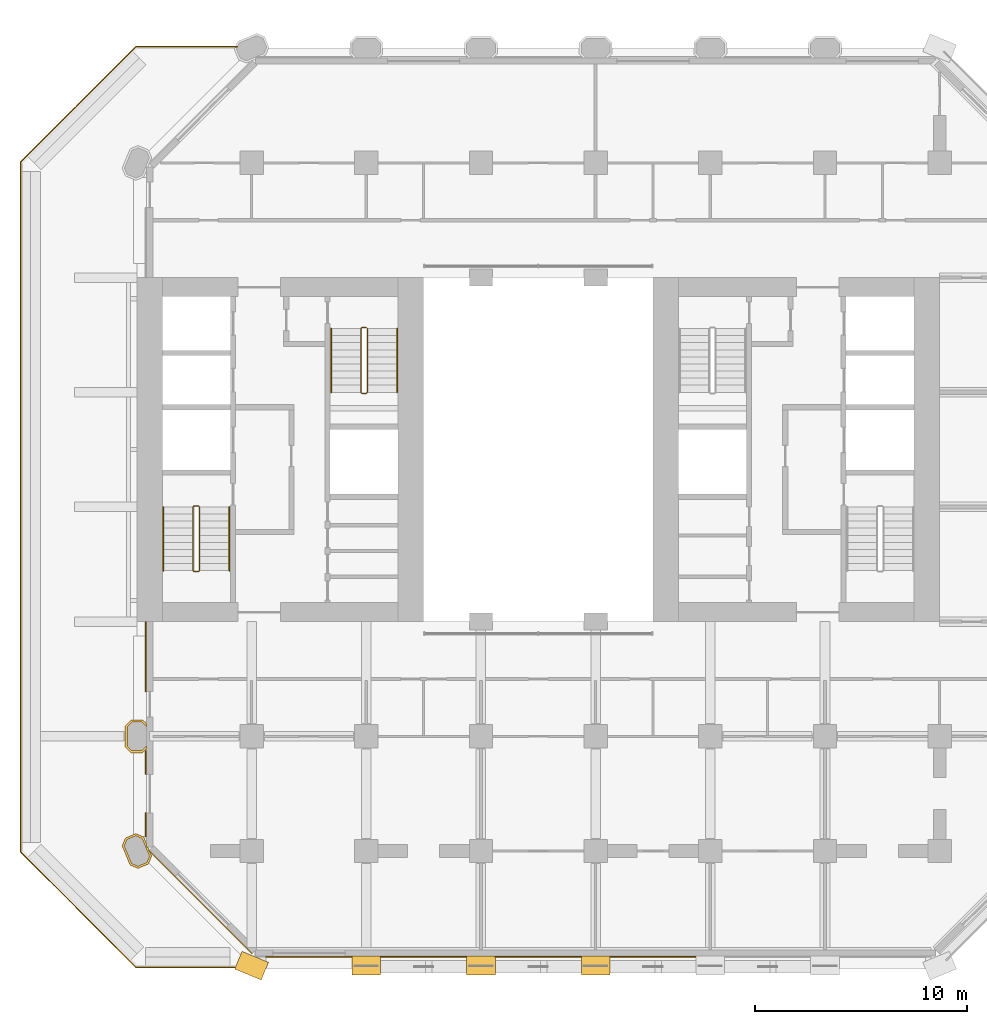
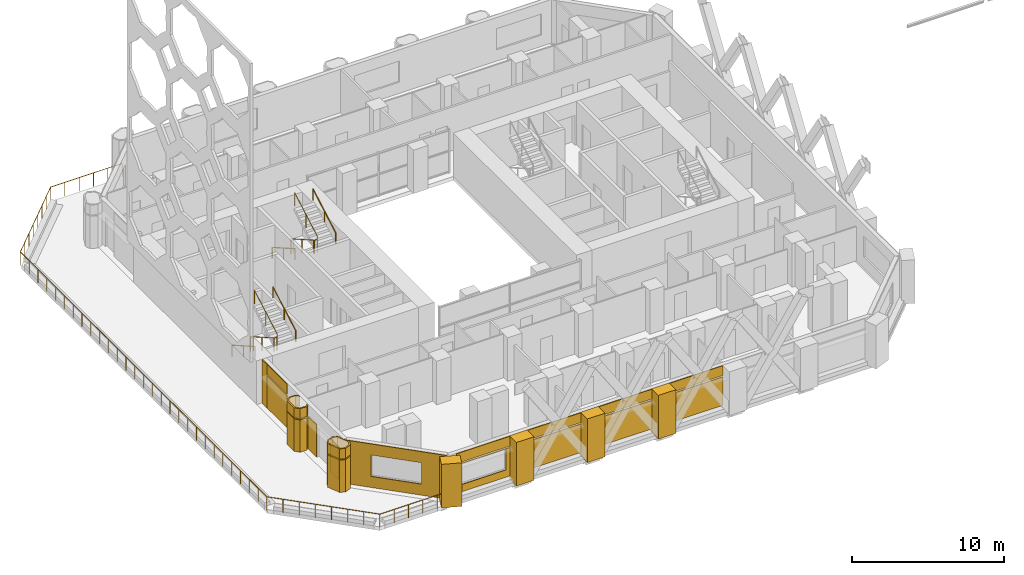
# One storey, part 12 of 14: 22 coverings, 7 railings.
"""IFC4 building model written with IfcOpenShell, lengths in metres."""

from ifc_helpers import new_model, si_unit, direction, frame, frame_2d, origin, origin_2d, place, context, subcontext, project, spatial, polyline, rectangle, circle, outline, extrude, material, layer, layer_set, type_object, element, save


model = new_model("IFC4")

# Units and contexts
model_context = context("Model", 3, precision=1e-05, world=origin(), true_north=direction((0.0, 1.0)))
body_context = subcontext(model_context, "Body", "Model", "MODEL_VIEW")
ifc_project = project(units=[si_unit("LENGTHUNIT", "METRE"), si_unit("AREAUNIT", "SQUARE_METRE"), si_unit("VOLUMEUNIT", "CUBIC_METRE"), si_unit("PLANEANGLEUNIT", "RADIAN"), si_unit("MASSUNIT", "GRAM", prefix="KILO")], contexts=[model_context])

# Site, building, storey
site_placement = place(None, origin())
site = spatial("IfcSite", under=ifc_project, at=site_placement, CompositionType="ELEMENT")
building_placement = place(site_placement, origin())
building = spatial("IfcBuilding", under=site, at=building_placement, Name="Tabaq Tower and Sports Hall", CompositionType="ELEMENT")
storey_placement = place(building_placement, frame((0.0, 0.0, 33.60009765625)))
storey = spatial("IfcBuildingStorey", under=building, at=storey_placement, Name="L06", CompositionType="ELEMENT", Elevation=33.60009765625)

# Coverings
ifc_material_1 = material(Name="Precast concrete C60/75", Category="concrete")
ifc_layer_1 = layer(ifc_material_1, 0.10009765625)
ifc_layer_set_1 = layer_set([ifc_layer_1], Name="Column cladding 100")
covering_type_1 = type_object("IfcCoveringType", Name="Column cladding 100", PredefinedType="CLADDING", material=ifc_layer_set_1)
covering_1_placement = place(storey_placement, origin())
element("IfcCovering", 1, at=covering_1_placement, inside=storey, type_object=covering_type_1, Name="Column cladding L06 PC-2B-O1", PredefinedType="CLADDING", context=body_context, shape_type="SweptSolid", body=[
    extrude(outline(polyline([(5.450439453125, 4.582275390625), (5.080078125, 4.73583984375), (4.7041015625, 5.6435546875), (4.857421875, 6.013916015625), (5.349609375, 6.217529296875), (5.7197265625, 6.064208984375), (5.849609375, 5.750732421875), (5.849609375, 5.586181640625), (5.91796875, 5.586181640625), (5.9814453125, 5.432373046875), (5.9501953125, 5.401123046875), (6.026123046875, 5.3251953125), (6.095947265625, 5.156494140625), (5.9423828125, 4.7861328125), (5.450439453125, 4.582275390625)]), holes=[polyline([(5.349609375, 6.110107421875), (4.93359375, 5.937744140625), (4.811767578125, 5.6435546875), (5.15625, 4.811767578125), (5.450439453125, 4.68994140625), (5.866455078125, 4.8623046875), (5.98828125, 5.156494140625), (5.643798828125, 5.98828125), (5.349609375, 6.110107421875)])]), origin(), (0.0, 0.0, 1.0), 2.599853515625),
])
covering_2_placement = place(storey_placement, frame((0.0, 0.0, 2.699951171875)))
element("IfcCovering", 2, at=covering_2_placement, inside=storey, type_object=covering_type_1, Name="Column cladding L06 PC-2B-O1 2", PredefinedType="CLADDING", context=body_context, shape_type="SweptSolid", body=[
    extrude(outline(polyline([(5.450439453125, 4.582275390625), (5.080078125, 4.73583984375), (4.7041015625, 5.6435546875), (4.857421875, 6.013916015625), (5.349609375, 6.217529296875), (5.7197265625, 6.064208984375), (5.849609375, 5.750732421875), (5.849609375, 5.586181640625), (5.91796875, 5.586181640625), (5.9814453125, 5.432373046875), (5.9501953125, 5.401123046875), (6.026123046875, 5.3251953125), (6.095947265625, 5.156494140625), (5.9423828125, 4.7861328125), (5.450439453125, 4.582275390625)]), holes=[polyline([(5.349609375, 6.110107421875), (4.93359375, 5.937744140625), (4.811767578125, 5.6435546875), (5.15625, 4.811767578125), (5.450439453125, 4.68994140625), (5.866455078125, 4.8623046875), (5.98828125, 5.156494140625), (5.643798828125, 5.98828125), (5.349609375, 6.110107421875)])]), origin(), (0.0, 0.0, 1.0), 0.800048828125),
])
covering_3_placement = place(storey_placement, origin())
element("IfcCovering", 3, at=covering_3_placement, inside=storey, type_object=covering_type_1, Name="Column cladding L06 PC-2C-O1", PredefinedType="CLADDING", context=body_context, shape_type="SweptSolid", body=[
    extrude(outline(polyline([(5.1337890625, 10.025390625), (4.850341796875, 10.30859375), (4.850341796875, 11.291259765625), (5.1337890625, 11.57470703125), (5.666259765625, 11.57470703125), (5.849609375, 11.391357421875), (5.849609375, 11.250732421875), (5.625244140625, 11.475341796875), (5.1748046875, 11.475341796875), (4.94970703125, 11.250244140625), (4.94970703125, 10.349853515625), (5.1748046875, 10.124755859375), (5.625244140625, 10.124755859375), (5.849609375, 10.349365234375), (5.849609375, 10.208740234375), (5.666259765625, 10.025390625), (5.1337890625, 10.025390625)])), origin(), (0.0, 0.0, 1.0), 2.599853515625),
])
covering_4_placement = place(storey_placement, frame((0.0, 0.0, 2.699951171875)))
element("IfcCovering", 4, at=covering_4_placement, inside=storey, type_object=covering_type_1, Name="Column cladding L06 PC-2C-O1 2", PredefinedType="CLADDING", context=body_context, shape_type="SweptSolid", body=[
    extrude(outline(polyline([(5.1337890625, 10.025390625), (4.850341796875, 10.30859375), (4.850341796875, 11.291259765625), (5.1337890625, 11.57470703125), (5.666259765625, 11.57470703125), (5.849609375, 11.391357421875), (5.849609375, 11.250732421875), (5.625244140625, 11.475341796875), (5.1748046875, 11.475341796875), (4.94970703125, 11.250244140625), (4.94970703125, 10.349853515625), (5.1748046875, 10.124755859375), (5.625244140625, 10.124755859375), (5.849609375, 10.349365234375), (5.849609375, 10.208740234375), (5.666259765625, 10.025390625), (5.1337890625, 10.025390625)])), origin(), (0.0, 0.0, 1.0), 0.800048828125),
])

# Railing
ifc_material_2 = material(Name="Stainless steel S316 and laminated glass", Category="steel")
railing_type_1 = type_object("IfcRailingType", Name="Guard 1100 steel and glass", PredefinedType="GUARDRAIL", material=ifc_material_2)
railing_1_placement = place(storey_placement, frame((10.800048828125, -0.080078125, 0.0)))
element("IfcRailing", 5, at=railing_1_placement, inside=storey, type_object=railing_type_1, Name="Terrace guard L06", PredefinedType="GUARDRAIL", context=body_context, shape_type="SweptSolid", body=[
    extrude(circle(Radius=0.02490234375, at=origin_2d()), frame((0.0, 0.0, 1.0751953125), z_axis=(-1.0, 0.0, 0.0), x_axis=(0.0, -1.0, 0.0)), (0.0, 0.0, 1.0), 5.43310546875),
    extrude(circle(Radius=0.02490234375, at=origin_2d()), frame((-5.43310546875, 0.0, 1.0751953125), z_axis=(-0.707106781187, 0.707106781187, 0.0), x_axis=(-0.707106781187, -0.707106781187, 0.0)), (0.0, 0.0, 1.0), 7.703369140625),
    extrude(circle(Radius=0.02490234375, at=origin_2d()), frame((-10.880126953125, 5.447021484375, 1.0751953125), z_axis=(0.0, 1.0, 0.0), x_axis=(-1.0, 0.0, 0.0)), (0.0, 0.0, 1.0), 32.46630859375),
    extrude(circle(Radius=0.02490234375, at=origin_2d()), frame((-10.880126953125, 37.913330078125, 1.0751953125), z_axis=(0.70712262796, 0.707090934058, 0.0), x_axis=(-0.707090934058, 0.70712262796, 0.0)), (0.0, 0.0, 1.0), 7.703125),
    extrude(circle(Radius=0.02490234375, at=origin_2d()), frame((-5.43310546875, 43.360107421875, 1.0751953125), z_axis=(1.0, 0.0, 0.0), x_axis=(0.0, 1.0, 0.0)), (0.0, 0.0, 1.0), 5.43310546875),
    extrude(circle(Radius=0.02001953125, at=origin_2d()), origin(), (0.0, 0.0, 1.0), 1.050048828125),
    extrude(circle(Radius=0.02001953125, at=origin_2d()), frame((-1.086669921875, 0.0, 0.0)), (0.0, 0.0, 1.0), 1.050048828125),
    extrude(circle(Radius=0.02001953125, at=origin_2d()), frame((-2.17333984375, 0.0, 0.0)), (0.0, 0.0, 1.0), 1.050048828125),
    extrude(circle(Radius=0.02001953125, at=origin_2d()), frame((-3.259765625, 0.0, 0.0)), (0.0, 0.0, 1.0), 1.050048828125),
    extrude(circle(Radius=0.02001953125, at=origin_2d()), frame((-4.346435546875, 0.0, 0.0)), (0.0, 0.0, 1.0), 1.050048828125),
    extrude(circle(Radius=0.02001953125, at=origin_2d()), frame((-5.43310546875, 0.0, 0.0)), (0.0, 0.0, 1.0), 1.050048828125),
    extrude(circle(Radius=0.02001953125, at=origin_2d()), frame((-6.211181640625, 0.778076171875, 0.0)), (0.0, 0.0, 1.0), 1.050048828125),
    extrude(circle(Radius=0.02001953125, at=origin_2d()), frame((-6.989501953125, 1.556396484375, 0.0)), (0.0, 0.0, 1.0), 1.050048828125),
    extrude(circle(Radius=0.02001953125, at=origin_2d()), frame((-7.767578125, 2.33447265625, 0.0)), (0.0, 0.0, 1.0), 1.050048828125),
    extrude(circle(Radius=0.02001953125, at=origin_2d()), frame((-8.545654296875, 3.112548828125, 0.0)), (0.0, 0.0, 1.0), 1.050048828125),
    extrude(circle(Radius=0.02001953125, at=origin_2d()), frame((-9.32373046875, 3.890625, 0.0)), (0.0, 0.0, 1.0), 1.050048828125),
    extrude(circle(Radius=0.02001953125, at=origin_2d()), frame((-10.10205078125, 4.6689453125, 0.0)), (0.0, 0.0, 1.0), 1.050048828125),
    extrude(circle(Radius=0.02001953125, at=origin_2d()), frame((-10.880126953125, 5.447021484375, 0.0)), (0.0, 0.0, 1.0), 1.050048828125),
    extrude(circle(Radius=0.02001953125, at=origin_2d()), frame((-10.880126953125, 6.6064453125, 0.0)), (0.0, 0.0, 1.0), 1.050048828125),
    extrude(circle(Radius=0.02001953125, at=origin_2d()), frame((-10.880126953125, 7.76611328125, 0.0)), (0.0, 0.0, 1.0), 1.050048828125),
    extrude(circle(Radius=0.02001953125, at=origin_2d()), frame((-10.880126953125, 8.925537109375, 0.0)), (0.0, 0.0, 1.0), 1.050048828125),
    extrude(circle(Radius=0.02001953125, at=origin_2d()), frame((-10.880126953125, 10.0849609375, 0.0)), (0.0, 0.0, 1.0), 1.050048828125),
    extrude(circle(Radius=0.02001953125, at=origin_2d()), frame((-10.880126953125, 11.24462890625, 0.0)), (0.0, 0.0, 1.0), 1.050048828125),
    extrude(circle(Radius=0.02001953125, at=origin_2d()), frame((-10.880126953125, 12.404052734375, 0.0)), (0.0, 0.0, 1.0), 1.050048828125),
    extrude(circle(Radius=0.02001953125, at=origin_2d()), frame((-10.880126953125, 13.5634765625, 0.0)), (0.0, 0.0, 1.0), 1.050048828125),
    extrude(circle(Radius=0.02001953125, at=origin_2d()), frame((-10.880126953125, 14.72314453125, 0.0)), (0.0, 0.0, 1.0), 1.050048828125),
    extrude(circle(Radius=0.02001953125, at=origin_2d()), frame((-10.880126953125, 15.882568359375, 0.0)), (0.0, 0.0, 1.0), 1.050048828125),
    extrude(circle(Radius=0.02001953125, at=origin_2d()), frame((-10.880126953125, 17.042236328125, 0.0)), (0.0, 0.0, 1.0), 1.050048828125),
    extrude(circle(Radius=0.02001953125, at=origin_2d()), frame((-10.880126953125, 18.20166015625, 0.0)), (0.0, 0.0, 1.0), 1.050048828125),
    extrude(circle(Radius=0.02001953125, at=origin_2d()), frame((-10.880126953125, 19.361083984375, 0.0)), (0.0, 0.0, 1.0), 1.050048828125),
    extrude(circle(Radius=0.02001953125, at=origin_2d()), frame((-10.880126953125, 20.520751953125, 0.0)), (0.0, 0.0, 1.0), 1.050048828125),
    extrude(circle(Radius=0.02001953125, at=origin_2d()), frame((-10.880126953125, 21.68017578125, 0.0)), (0.0, 0.0, 1.0), 1.050048828125),
    extrude(circle(Radius=0.02001953125, at=origin_2d()), frame((-10.880126953125, 22.839599609375, 0.0)), (0.0, 0.0, 1.0), 1.050048828125),
    extrude(circle(Radius=0.02001953125, at=origin_2d()), frame((-10.880126953125, 23.999267578125, 0.0)), (0.0, 0.0, 1.0), 1.050048828125),
    extrude(circle(Radius=0.02001953125, at=origin_2d()), frame((-10.880126953125, 25.15869140625, 0.0)), (0.0, 0.0, 1.0), 1.050048828125),
    extrude(circle(Radius=0.02001953125, at=origin_2d()), frame((-10.880126953125, 26.318115234375, 0.0)), (0.0, 0.0, 1.0), 1.050048828125),
    extrude(circle(Radius=0.02001953125, at=origin_2d()), frame((-10.880126953125, 27.477783203125, 0.0)), (0.0, 0.0, 1.0), 1.050048828125),
    extrude(circle(Radius=0.02001953125, at=origin_2d()), frame((-10.880126953125, 28.63720703125, 0.0)), (0.0, 0.0, 1.0), 1.050048828125),
    extrude(circle(Radius=0.02001953125, at=origin_2d()), frame((-10.880126953125, 29.796875, 0.0)), (0.0, 0.0, 1.0), 1.050048828125),
    extrude(circle(Radius=0.02001953125, at=origin_2d()), frame((-10.880126953125, 30.956298828125, 0.0)), (0.0, 0.0, 1.0), 1.050048828125),
    extrude(circle(Radius=0.02001953125, at=origin_2d()), frame((-10.880126953125, 32.11572265625, 0.0)), (0.0, 0.0, 1.0), 1.050048828125),
    extrude(circle(Radius=0.02001953125, at=origin_2d()), frame((-10.880126953125, 33.275390625, 0.0)), (0.0, 0.0, 1.0), 1.050048828125),
    extrude(circle(Radius=0.02001953125, at=origin_2d()), frame((-10.880126953125, 34.434814453125, 0.0)), (0.0, 0.0, 1.0), 1.050048828125),
    extrude(circle(Radius=0.02001953125, at=origin_2d()), frame((-10.880126953125, 35.59423828125, 0.0)), (0.0, 0.0, 1.0), 1.050048828125),
    extrude(circle(Radius=0.02001953125, at=origin_2d()), frame((-10.880126953125, 36.75390625, 0.0)), (0.0, 0.0, 1.0), 1.050048828125),
    extrude(circle(Radius=0.02001953125, at=origin_2d()), frame((-10.880126953125, 37.913330078125, 0.0)), (0.0, 0.0, 1.0), 1.050048828125),
    extrude(circle(Radius=0.02001953125, at=origin_2d()), frame((-10.10205078125, 38.69140625, 0.0)), (0.0, 0.0, 1.0), 1.050048828125),
    extrude(circle(Radius=0.02001953125, at=origin_2d()), frame((-9.32373046875, 39.469482421875, 0.0)), (0.0, 0.0, 1.0), 1.050048828125),
    extrude(circle(Radius=0.02001953125, at=origin_2d()), frame((-8.545654296875, 40.24755859375, 0.0)), (0.0, 0.0, 1.0), 1.050048828125),
    extrude(circle(Radius=0.02001953125, at=origin_2d()), frame((-7.767578125, 41.02587890625, 0.0)), (0.0, 0.0, 1.0), 1.050048828125),
    extrude(circle(Radius=0.02001953125, at=origin_2d()), frame((-6.989501953125, 41.803955078125, 0.0)), (0.0, 0.0, 1.0), 1.050048828125),
    extrude(circle(Radius=0.02001953125, at=origin_2d()), frame((-6.211181640625, 42.58203125, 0.0)), (0.0, 0.0, 1.0), 1.050048828125),
    extrude(circle(Radius=0.02001953125, at=origin_2d()), frame((-5.43310546875, 43.360107421875, 0.0)), (0.0, 0.0, 1.0), 1.050048828125),
    extrude(circle(Radius=0.02001953125, at=origin_2d()), frame((-4.346435546875, 43.360107421875, 0.0)), (0.0, 0.0, 1.0), 1.050048828125),
    extrude(circle(Radius=0.02001953125, at=origin_2d()), frame((-3.259765625, 43.360107421875, 0.0)), (0.0, 0.0, 1.0), 1.050048828125),
    extrude(circle(Radius=0.02001953125, at=origin_2d()), frame((-2.17333984375, 43.360107421875, 0.0)), (0.0, 0.0, 1.0), 1.050048828125),
    extrude(circle(Radius=0.02001953125, at=origin_2d()), frame((-1.086669921875, 43.360107421875, 0.0)), (0.0, 0.0, 1.0), 1.050048828125),
    extrude(circle(Radius=0.02001953125, at=origin_2d()), frame((0.0, 43.360107421875, 0.0)), (0.0, 0.0, 1.0), 1.050048828125),
])

# Coverings
ifc_material_3 = material(Name="White precast concrete C60/75", Category="concrete")
covering_type_2 = type_object("IfcCoveringType", Name="Pier cladding hung 1350x900", PredefinedType="CLADDING", material=ifc_material_3)
for number, where, z_axis, x_axis, name in (
    (6, (10.17626953125, 0.25830078125, 0.0), (0.0, 0.0, 1.0), (0.923893411637, -0.382649923473, 0.0), "Hung pier cladding 2/0"),
    (7, (15.52490234375, 0.0, 0.0), (0.0, 0.0, 1.0), (1.0, 0.0, 0.0), "Hung pier cladding 3/0"),
):
    element("IfcCovering", number, at=place(storey_placement, frame(where, z_axis=z_axis, x_axis=x_axis)), inside=storey, type_object=covering_type_2, Name=name, PredefinedType="CLADDING", context=body_context, shape_type="SweptSolid", body=[
        extrude(rectangle(XDim=1.35009765625, YDim=0.89990234375, at=frame_2d((0.675048828125, 0.0))), origin(), (0.0, 0.0, 1.0), 3.5),
    ])
covering_5_placement = place(storey_placement, frame((20.925048828125, 0.0, 0.0), z_axis=(0.0, 0.0, 1.0), x_axis=(1.0, 0.0, 0.0)))
element("IfcCovering", 8, at=covering_5_placement, inside=storey, type_object=covering_type_2, Name="Hung pier cladding 4/0", PredefinedType="CLADDING", context=body_context, shape_type="SweptSolid", body=[
    extrude(rectangle(XDim=1.349853515625, YDim=0.89990234375, at=frame_2d((0.6748046875, 0.0))), origin(), (0.0, 0.0, 1.0), 3.5),
])
covering_6_placement = place(storey_placement, frame((26.324951171875, 0.0, 0.0), z_axis=(0.0, 0.0, 1.0), x_axis=(1.0, 0.0, 0.0)))
element("IfcCovering", 9, at=covering_6_placement, inside=storey, type_object=covering_type_2, Name="Hung pier cladding 5/0", PredefinedType="CLADDING", context=body_context, shape_type="SweptSolid", body=[
    extrude(rectangle(XDim=1.35009765625, YDim=0.89990234375, at=frame_2d((0.675048828125, 0.0))), origin(), (0.0, 0.0, 1.0), 3.5),
])

# Railings
ifc_material_4 = material(Name="Stainless steel", Category="steel")
railing_type_2 = type_object("IfcRailingType", Name="Stair guard", PredefinedType="GUARDRAIL", material=ifc_material_4)
railing_2_placement = place(storey_placement, frame((8.300048828125, 21.64990234375, 0.0)))
element("IfcRailing", 10, at=railing_2_placement, inside=storey, type_object=railing_type_2, Name="L06 ST1 stair guard 1", PredefinedType="GUARDRAIL", context=body_context, shape_type="SweptSolid", body=[
    extrude(circle(Radius=0.02392578125, at=origin_2d()), frame((0.0, 0.0, 1.076171875), z_axis=(-1.0, 0.0, 0.0), x_axis=(0.0, -1.0, 0.0)), (0.0, 0.0, 1.0), 0.199951171875),
    extrude(circle(Radius=0.02392578125, at=origin_2d()), frame((-0.199951171875, 0.0, 1.076171875), z_axis=(-0.246983470365, -0.245778672949, 0.937332389972), x_axis=(0.705375805398, -0.708833529934, 0.0)), (0.0, 0.0, 1.0), 0.20263671875),
    extrude(circle(Radius=0.02392578125, at=origin_2d()), frame((-0.25, -0.0498046875, 1.26611328125), z_axis=(0.0, -0.868782136927, 0.495194505781), x_axis=(1.0, 0.0, 0.0)), (0.0, 0.0, 1.0), 3.453125),
    extrude(circle(Radius=0.02392578125, at=origin_2d()), frame((-0.25, -3.0498046875, 2.97607421875), z_axis=(0.707106781187, -0.707106781187, 0.0), x_axis=(0.707106781187, 0.707106781187, 0.0)), (0.0, 0.0, 1.0), 0.07080078125),
    extrude(circle(Radius=0.02392578125, at=origin_2d()), frame((-0.199951171875, -3.099853515625, 2.97607421875), z_axis=(1.0, 0.0, 0.0), x_axis=(0.0, 1.0, 0.0)), (0.0, 0.0, 1.0), 0.199951171875),
    extrude(circle(Radius=0.02392578125, at=origin_2d()), frame((0.0, -3.099853515625, 2.97607421875), z_axis=(0.246910188598, 0.246910188598, 0.937054276727), x_axis=(-0.707106781187, 0.707106781187, 0.0)), (0.0, 0.0, 1.0), 0.20263671875),
    extrude(circle(Radius=0.02392578125, at=origin_2d()), frame((0.050048828125, -3.0498046875, 3.166015625), z_axis=(0.0, 0.868782136927, 0.495194505781), x_axis=(-1.0, 0.0, 0.0)), (0.0, 0.0, 1.0), 3.453125),
    extrude(circle(Radius=0.02099609375, at=origin_2d()), origin(), (0.0, 0.0, 1.0), 1.052001953125),
    extrude(circle(Radius=0.02099609375, at=origin_2d()), frame((-0.199951171875, 0.0, 0.0)), (0.0, 0.0, 1.0), 1.052001953125),
    extrude(circle(Radius=0.02099609375, at=origin_2d()), frame((-0.25, -0.0498046875, 0.18994140625)), (0.0, 0.0, 1.0), 1.052001953125),
    extrude(circle(Radius=0.02099609375, at=origin_2d()), frame((-0.25, -1.5498046875, 1.044921875)), (0.0, 0.0, 1.0), 1.052001953125),
    extrude(circle(Radius=0.02099609375, at=origin_2d()), frame((-0.25, -3.0498046875, 1.89990234375)), (0.0, 0.0, 1.0), 1.052001953125),
    extrude(circle(Radius=0.02099609375, at=origin_2d()), frame((-0.199951171875, -3.099853515625, 1.89990234375)), (0.0, 0.0, 1.0), 1.052001953125),
    extrude(circle(Radius=0.02099609375, at=origin_2d()), frame((0.0, -3.099853515625, 1.89990234375)), (0.0, 0.0, 1.0), 1.052001953125),
    extrude(circle(Radius=0.02099609375, at=origin_2d()), frame((0.050048828125, -3.0498046875, 2.08984375)), (0.0, 0.0, 1.0), 1.052001953125),
    extrude(circle(Radius=0.02099609375, at=origin_2d()), frame((0.050048828125, -1.5498046875, 2.94482421875)), (0.0, 0.0, 1.0), 1.052001953125),
    extrude(circle(Radius=0.02099609375, at=origin_2d()), frame((0.050048828125, -0.0498046875, 3.7998046875)), (0.0, 0.0, 1.0), 1.052001953125),
])
railing_3_placement = place(storey_placement, frame((16.199951171875, 30.050048828125, 0.0)))
element("IfcRailing", 11, at=railing_3_placement, inside=storey, type_object=railing_type_2, Name="L06 ST2 stair guard 1", PredefinedType="GUARDRAIL", context=body_context, shape_type="SweptSolid", body=[
    extrude(circle(Radius=0.02392578125, at=origin_2d()), frame((0.0, 0.0, 1.076171875), z_axis=(-1.0, 0.0, 0.0), x_axis=(0.0, -1.0, 0.0)), (0.0, 0.0, 1.0), 0.199951171875),
    extrude(circle(Radius=0.02392578125, at=origin_2d()), frame((-0.199951171875, 0.0, 1.076171875), z_axis=(-0.246910188598, -0.246910188598, 0.937054276727), x_axis=(0.707106781187, -0.707106781187, 0.0)), (0.0, 0.0, 1.0), 0.20263671875),
    extrude(circle(Radius=0.02392578125, at=origin_2d()), frame((-0.25, -0.050048828125, 1.26611328125), z_axis=(0.0, -0.868782136927, 0.495194505781), x_axis=(1.0, 0.0, 0.0)), (0.0, 0.0, 1.0), 3.453125),
    extrude(circle(Radius=0.02392578125, at=origin_2d()), frame((-0.25, -3.050048828125, 2.97607421875), z_axis=(0.707106781187, -0.707106781187, 0.0), x_axis=(0.707106781187, 0.707106781187, 0.0)), (0.0, 0.0, 1.0), 0.07080078125),
    extrude(circle(Radius=0.02392578125, at=origin_2d()), frame((-0.199951171875, -3.10009765625, 2.97607421875), z_axis=(1.0, 0.0, 0.0), x_axis=(0.0, 1.0, 0.0)), (0.0, 0.0, 1.0), 0.199951171875),
    extrude(circle(Radius=0.02392578125, at=origin_2d()), frame((0.0, -3.10009765625, 2.97607421875), z_axis=(0.246910188598, 0.246910188598, 0.937054276727), x_axis=(-0.707106781187, 0.707106781187, 0.0)), (0.0, 0.0, 1.0), 0.20263671875),
    extrude(circle(Radius=0.02392578125, at=origin_2d()), frame((0.050048828125, -3.050048828125, 3.166015625), z_axis=(0.0, 0.868782136927, 0.495194505781), x_axis=(-1.0, 0.0, 0.0)), (0.0, 0.0, 1.0), 3.453125),
    extrude(circle(Radius=0.02099609375, at=origin_2d()), origin(), (0.0, 0.0, 1.0), 1.052001953125),
    extrude(circle(Radius=0.02099609375, at=origin_2d()), frame((-0.199951171875, 0.0, 0.0)), (0.0, 0.0, 1.0), 1.052001953125),
    extrude(circle(Radius=0.02099609375, at=origin_2d()), frame((-0.25, -0.050048828125, 0.18994140625)), (0.0, 0.0, 1.0), 1.052001953125),
    extrude(circle(Radius=0.02099609375, at=origin_2d()), frame((-0.25, -1.550048828125, 1.044921875)), (0.0, 0.0, 1.0), 1.052001953125),
    extrude(circle(Radius=0.02099609375, at=origin_2d()), frame((-0.25, -3.050048828125, 1.89990234375)), (0.0, 0.0, 1.0), 1.052001953125),
    extrude(circle(Radius=0.02099609375, at=origin_2d()), frame((-0.199951171875, -3.10009765625, 1.89990234375)), (0.0, 0.0, 1.0), 1.052001953125),
    extrude(circle(Radius=0.02099609375, at=origin_2d()), frame((0.0, -3.10009765625, 1.89990234375)), (0.0, 0.0, 1.0), 1.052001953125),
    extrude(circle(Radius=0.02099609375, at=origin_2d()), frame((0.050048828125, -3.050048828125, 2.08984375)), (0.0, 0.0, 1.0), 1.052001953125),
    extrude(circle(Radius=0.02099609375, at=origin_2d()), frame((0.050048828125, -1.550048828125, 2.94482421875)), (0.0, 0.0, 1.0), 1.052001953125),
    extrude(circle(Radius=0.02099609375, at=origin_2d()), frame((0.050048828125, -0.050048828125, 3.7998046875)), (0.0, 0.0, 1.0), 1.052001953125),
])
ifc_material_5 = material(Name="Stainless steel", Category="steel")
railing_type_3 = type_object("IfcRailingType", Name="Stair handrail", PredefinedType="HANDRAIL", material=ifc_material_5)
railing_4_placement = place(storey_placement, frame((6.64990234375, 21.60009765625, 0.18994140625)))
element("IfcRailing", 12, at=railing_4_placement, inside=storey, type_object=railing_type_3, Name="L06 ST1 stair handrail 1", PredefinedType="HANDRAIL", context=body_context, shape_type="SweptSolid", body=[
    extrude(circle(Radius=0.02392578125, at=origin_2d()), frame((0.0, 0.0, 0.8759765625), z_axis=(0.0, -0.868782136927, 0.495194505781), x_axis=(1.0, 0.0, 0.0)), (0.0, 0.0, 1.0), 3.453125),
    extrude(circle(Radius=0.02099609375, at=origin_2d()), origin(), (0.0, 0.0, 1.0), 0.851806640625),
    extrude(circle(Radius=0.02099609375, at=origin_2d()), frame((0.0, -1.5, 0.85498046875)), (0.0, 0.0, 1.0), 0.851806640625),
    extrude(circle(Radius=0.02099609375, at=origin_2d()), frame((0.0, -3.0, 1.7099609375)), (0.0, 0.0, 1.0), 0.851806640625),
])
railing_5_placement = place(storey_placement, frame((9.75, 18.60009765625, 2.08984375)))
element("IfcRailing", 13, at=railing_5_placement, inside=storey, type_object=railing_type_3, Name="L06 ST1 stair handrail 2", PredefinedType="HANDRAIL", context=body_context, shape_type="SweptSolid", body=[
    extrude(circle(Radius=0.02392578125, at=origin_2d()), frame((0.0, 0.0, 0.8759765625), z_axis=(0.0, 0.868782136927, 0.495194505781), x_axis=(-1.0, 0.0, 0.0)), (0.0, 0.0, 1.0), 3.453125),
    extrude(circle(Radius=0.02099609375, at=origin_2d()), origin(), (0.0, 0.0, 1.0), 0.851806640625),
    extrude(circle(Radius=0.02099609375, at=origin_2d()), frame((0.0, 1.5, 0.85498046875)), (0.0, 0.0, 1.0), 0.851806640625),
    extrude(circle(Radius=0.02099609375, at=origin_2d()), frame((0.0, 3.0, 1.7099609375)), (0.0, 0.0, 1.0), 0.851806640625),
])
railing_6_placement = place(storey_placement, frame((14.550048828125, 30.0, 0.18994140625)))
element("IfcRailing", 14, at=railing_6_placement, inside=storey, type_object=railing_type_3, Name="L06 ST2 stair handrail 1", PredefinedType="HANDRAIL", context=body_context, shape_type="SweptSolid", body=[
    extrude(circle(Radius=0.02392578125, at=origin_2d()), frame((0.0, 0.0, 0.8759765625), z_axis=(0.0, -0.868782136927, 0.495194505781), x_axis=(1.0, 0.0, 0.0)), (0.0, 0.0, 1.0), 3.453125),
    extrude(circle(Radius=0.02099609375, at=origin_2d()), origin(), (0.0, 0.0, 1.0), 0.851806640625),
    extrude(circle(Radius=0.02099609375, at=origin_2d()), frame((0.0, -1.5, 0.85498046875)), (0.0, 0.0, 1.0), 0.851806640625),
    extrude(circle(Radius=0.02099609375, at=origin_2d()), frame((0.0, -3.0, 1.7099609375)), (0.0, 0.0, 1.0), 0.851806640625),
])
railing_7_placement = place(storey_placement, frame((17.64990234375, 27.0, 2.08984375)))
element("IfcRailing", 15, at=railing_7_placement, inside=storey, type_object=railing_type_3, Name="L06 ST2 stair handrail 2", PredefinedType="HANDRAIL", context=body_context, shape_type="SweptSolid", body=[
    extrude(circle(Radius=0.02392578125, at=origin_2d()), frame((0.0, 0.0, 0.8759765625), z_axis=(0.0, 0.868782136927, 0.495194505781), x_axis=(-1.0, 0.0, 0.0)), (0.0, 0.0, 1.0), 3.453125),
    extrude(circle(Radius=0.02099609375, at=origin_2d()), origin(), (0.0, 0.0, 1.0), 0.851806640625),
    extrude(circle(Radius=0.02099609375, at=origin_2d()), frame((0.0, 1.5, 0.85498046875)), (0.0, 0.0, 1.0), 0.851806640625),
    extrude(circle(Radius=0.02099609375, at=origin_2d()), frame((0.0, 3.0, 1.7099609375)), (0.0, 0.0, 1.0), 0.851806640625),
])

# Coverings
ifc_material_6 = material(Name="Precast concrete C60/75", Category="concrete")
ifc_layer_2 = layer(ifc_material_6, 0.06005859375)
ifc_layer_set_2 = layer_set([ifc_layer_2], Name="White precast cladding panel 60 C60/75")
covering_type_3 = type_object("IfcCoveringType", Name="White precast cladding panel 60 C60/75", PredefinedType="CLADDING", material=ifc_layer_set_2)
covering_7_placement = place(storey_placement, frame((11.465087890625, 0.419921875, 0.309814453125), z_axis=(0.0, 0.0, 1.0), x_axis=(1.0, 0.0, 0.0)))
element("IfcCovering", 16, at=covering_7_placement, inside=storey, type_object=covering_type_3, Name="White precast cladding panel L06 wall00", PredefinedType="CLADDING", context=body_context, shape_type="SweptSolid", body=[
    extrude(outline(polyline([(0.0, 0.0), (4.0498046875, 0.0), (4.0498046875, 2.280029296875), (0.0, 2.280029296875), (0.0, 0.0)]), holes=[polyline([(3.7451171875, 0.580078125), (0.324951171875, 0.580078125), (0.324951171875, 2.25), (3.7451171875, 2.25), (3.7451171875, 0.580078125)])]), frame((0.0, 0.030029296875, 0.0), z_axis=(0.0, -1.0, 0.0), x_axis=(1.0, 0.0, 0.0)), (0.0, 0.0, 1.0), 0.06005859375),
])
covering_8_placement = place(storey_placement, frame((11.465087890625, 0.419921875, 2.7099609375), z_axis=(0.0, 0.0, 1.0), x_axis=(1.0, 0.0, 0.0)))
element("IfcCovering", 17, at=covering_8_placement, inside=storey, type_object=covering_type_3, Name="White precast cladding panel L06 wall00 2", PredefinedType="CLADDING", context=body_context, shape_type="SweptSolid", body=[
    extrude(rectangle(XDim=4.0498046875, YDim=0.06005859375, at=frame_2d((2.02490234375, 0.0))), origin(), (0.0, 0.0, 1.0), 0.7900390625),
])
covering_9_placement = place(storey_placement, frame((16.885009765625, 0.419921875, 0.309814453125), z_axis=(0.0, 0.0, 1.0), x_axis=(1.0, 0.0, 0.0)))
element("IfcCovering", 18, at=covering_9_placement, inside=storey, type_object=covering_type_3, Name="White precast cladding panel L06 wall00 3", PredefinedType="CLADDING", context=body_context, shape_type="SweptSolid", body=[
    extrude(rectangle(XDim=4.030029296875, YDim=0.06005859375, at=frame_2d((2.01513671875, 0.0))), origin(), (0.0, 0.0, 1.0), 2.280029296875),
])
covering_10_placement = place(storey_placement, frame((16.885009765625, 0.419921875, 2.7099609375), z_axis=(0.0, 0.0, 1.0), x_axis=(1.0, 0.0, 0.0)))
element("IfcCovering", 19, at=covering_10_placement, inside=storey, type_object=covering_type_3, Name="White precast cladding panel L06 wall00 4", PredefinedType="CLADDING", context=body_context, shape_type="SweptSolid", body=[
    extrude(rectangle(XDim=4.030029296875, YDim=0.06005859375, at=frame_2d((2.01513671875, 0.0))), origin(), (0.0, 0.0, 1.0), 0.7900390625),
])
covering_11_placement = place(storey_placement, frame((22.284912109375, 0.419921875, 0.309814453125), z_axis=(0.0, 0.0, 1.0), x_axis=(1.0, 0.0, 0.0)))
element("IfcCovering", 20, at=covering_11_placement, inside=storey, type_object=covering_type_3, Name="White precast cladding panel L06 wall00 5", PredefinedType="CLADDING", context=body_context, shape_type="SweptSolid", body=[
    extrude(rectangle(XDim=4.030029296875, YDim=0.06005859375, at=frame_2d((2.01513671875, 0.0))), origin(), (0.0, 0.0, 1.0), 2.280029296875),
])
covering_12_placement = place(storey_placement, frame((22.284912109375, 0.419921875, 2.7099609375), z_axis=(0.0, 0.0, 1.0), x_axis=(1.0, 0.0, 0.0)))
element("IfcCovering", 21, at=covering_12_placement, inside=storey, type_object=covering_type_3, Name="White precast cladding panel L06 wall00 6", PredefinedType="CLADDING", context=body_context, shape_type="SweptSolid", body=[
    extrude(rectangle(XDim=4.030029296875, YDim=0.06005859375, at=frame_2d((2.01513671875, 0.0))), origin(), (0.0, 0.0, 1.0), 0.7900390625),
])
covering_13_placement = place(storey_placement, frame((27.68505859375, 0.419921875, 0.309814453125), z_axis=(0.0, 0.0, 1.0), x_axis=(1.0, 0.0, 0.0)))
element("IfcCovering", 22, at=covering_13_placement, inside=storey, type_object=covering_type_3, Name="White precast cladding panel L06 wall00 7", PredefinedType="CLADDING", context=body_context, shape_type="SweptSolid", body=[
    extrude(rectangle(XDim=4.030029296875, YDim=0.06005859375, at=frame_2d((2.01513671875, 0.0))), origin(), (0.0, 0.0, 1.0), 2.280029296875),
])
covering_14_placement = place(storey_placement, frame((27.68505859375, 0.419921875, 2.7099609375), z_axis=(0.0, 0.0, 1.0), x_axis=(1.0, 0.0, 0.0)))
element("IfcCovering", 23, at=covering_14_placement, inside=storey, type_object=covering_type_3, Name="White precast cladding panel L06 wall00 8", PredefinedType="CLADDING", context=body_context, shape_type="SweptSolid", body=[
    extrude(rectangle(XDim=4.030029296875, YDim=0.06005859375, at=frame_2d((2.01513671875, 0.0))), origin(), (0.0, 0.0, 1.0), 0.7900390625),
])
covering_15_placement = place(storey_placement, frame((5.820068359375, 16.199951171875, 0.0), z_axis=(0.0, 0.0, 1.0), x_axis=(0.0, -1.0, 0.0)))
element("IfcCovering", 24, at=covering_15_placement, inside=storey, type_object=covering_type_3, Name="White precast cladding panel L06 wall06-1", PredefinedType="CLADDING", context=body_context, shape_type="SweptSolid", body=[
    extrude(rectangle(XDim=0.6650390625, YDim=0.06005859375, at=frame_2d((0.33251953125, 0.0))), origin(), (0.0, 0.0, 1.0), 3.5),
])
covering_16_placement = place(storey_placement, frame((5.820068359375, 15.534912109375, 0.0), z_axis=(0.0, 0.0, 1.0), x_axis=(0.0, -1.0, 0.0)))
element("IfcCovering", 25, at=covering_16_placement, inside=storey, type_object=covering_type_3, Name="White precast cladding panel L06 wall06-1 2", PredefinedType="CLADDING", context=body_context, shape_type="SweptSolid", body=[
    extrude(rectangle(XDim=2.625, YDim=0.06005859375, at=frame_2d((1.3125, 0.0))), origin(), (0.0, 0.0, 1.0), 2.58984375),
])
covering_17_placement = place(storey_placement, frame((5.820068359375, 15.534912109375, 2.7099609375), z_axis=(0.0, 0.0, 1.0), x_axis=(0.0, -1.0, 0.0)))
element("IfcCovering", 26, at=covering_17_placement, inside=storey, type_object=covering_type_3, Name="White precast cladding panel L06 wall06-1 3", PredefinedType="CLADDING", context=body_context, shape_type="SweptSolid", body=[
    extrude(rectangle(XDim=2.625, YDim=0.06005859375, at=frame_2d((1.3125, 0.0))), origin(), (0.0, 0.0, 1.0), 0.7900390625),
])
covering_18_placement = place(storey_placement, frame((5.820068359375, 10.114990234375, 0.0), z_axis=(0.0, 0.0, 1.0), x_axis=(0.0, -1.0, 0.0)))
element("IfcCovering", 27, at=covering_18_placement, inside=storey, type_object=covering_type_3, Name="White precast cladding panel L06 wall06-1 4", PredefinedType="CLADDING", context=body_context, shape_type="SweptSolid", body=[
    extrude(rectangle(XDim=1.10498046875, YDim=0.06005859375, at=frame_2d((0.552490234375, 0.0))), origin(), (0.0, 0.0, 1.0), 2.58984375),
])
covering_19_placement = place(storey_placement, frame((5.820068359375, 7.18994140625, 0.0), z_axis=(0.0, 0.0, 1.0), x_axis=(0.0, -1.0, 0.0)))
element("IfcCovering", 28, at=covering_19_placement, inside=storey, type_object=covering_type_3, Name="White precast cladding panel L06 wall06-1 5", PredefinedType="CLADDING", context=body_context, shape_type="SweptSolid", body=[
    extrude(rectangle(XDim=1.125, YDim=0.06005859375, at=frame_2d((0.5625, 0.0))), origin(), (0.0, 0.0, 1.0), 2.58984375),
])
covering_20_placement = place(storey_placement, frame((5.9716796875, 5.42236328125, 0.0), z_axis=(0.0, 0.0, 1.0), x_axis=(0.707106781187, -0.707106781187, 0.0)))
element("IfcCovering", 29, at=covering_20_placement, inside=storey, type_object=covering_type_3, Name="White precast cladding panel L06 wall07", PredefinedType="CLADDING", context=body_context, shape_type="SweptSolid", body=[
    extrude(outline(polyline([(0.0, 0.0), (6.85986328125, 0.0), (6.85986328125, 3.5), (0.0, 3.5), (0.0, 0.0)]), holes=[polyline([(1.7197265625, 0.889892578125), (1.7197265625, 2.60986328125), (5.139892578125, 2.60986328125), (5.139892578125, 0.889892578125), (1.7197265625, 0.889892578125)])]), frame((0.0, 0.030029296875, 0.0), z_axis=(0.0, -1.0, 0.0), x_axis=(1.0, 0.0, 0.0)), (0.0, 0.0, 1.0), 0.06005859375),
])

save(model, "model.ifc")
